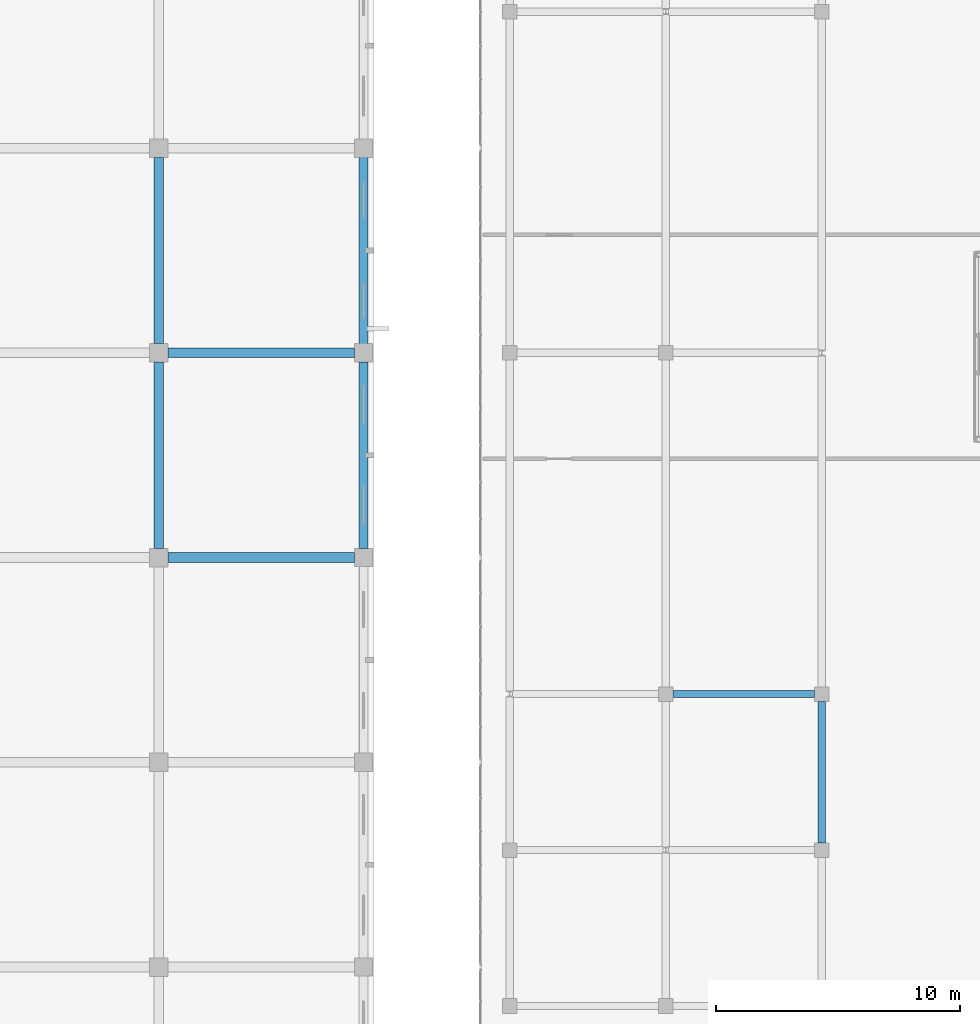
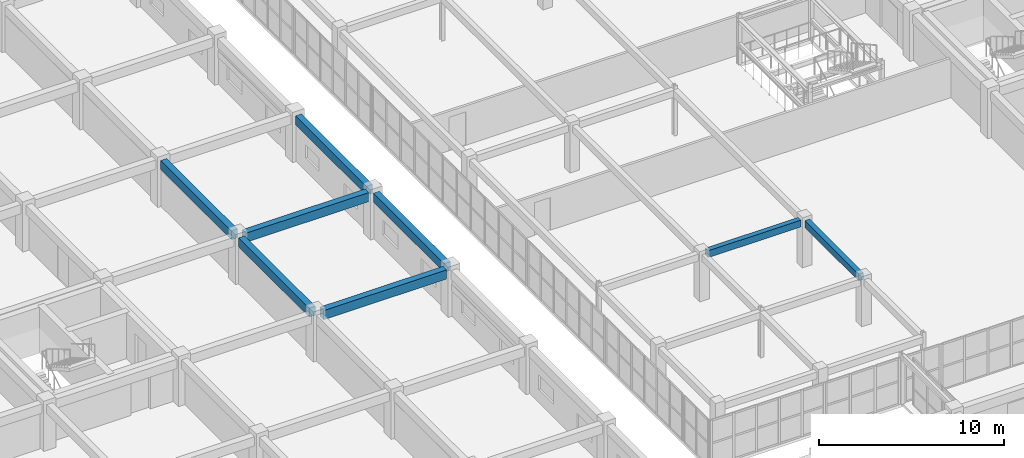
# One storey, part 38 of 200: 8 beams.
"""IFC4 building model written with IfcOpenShell, lengths in metres."""

from ifc_helpers import new_model, si_unit, direction, frame, origin, origin_2d, place, context, subcontext, project, spatial, rectangle, extrude, material, material_profile, profile_set, type_object, element, save


model = new_model("IFC4")

# Units and contexts
model_context = context("Model", 3, precision=1e-05, world=origin(), true_north=direction((0.0, 1.0)))
body_context = subcontext(model_context, "Body", "Model", "MODEL_VIEW")
ifc_project = project(units=[si_unit("LENGTHUNIT", "METRE"), si_unit("AREAUNIT", "SQUARE_METRE"), si_unit("VOLUMEUNIT", "CUBIC_METRE"), si_unit("PLANEANGLEUNIT", "RADIAN"), si_unit("MASSUNIT", "GRAM", prefix="KILO")], contexts=[model_context])

# Site, building, storey
site_placement = place(None, origin())
site = spatial("IfcSite", under=ifc_project, at=site_placement, CompositionType="ELEMENT")
building_placement = place(site_placement, origin())
building = spatial("IfcBuilding", under=site, at=building_placement, Name="Trelvath General Hospital", CompositionType="ELEMENT")
storey_placement = place(building_placement, frame((0.0, 0.0, 4.800048828125)))
storey = spatial("IfcBuildingStorey", under=building, at=storey_placement, Name="L01", CompositionType="ELEMENT", Elevation=4.800048828125)

# Beams
ifc_material_1 = material(Name="Concrete C35/45", Category="concrete")
ifc_material_profile_1 = material_profile(ifc_material_1, rectangle(XDim=0.300048828125, YDim=0.449951171875, at=origin_2d()), Name="RCB300x450")
ifc_profile_set_1 = profile_set([ifc_material_profile_1], Name="Concrete C35/45")
beam_type_1 = type_object("IfcBeamType", Name="Beam RC300x450", PredefinedType="BEAM", material=ifc_profile_set_1)
for number, where, z_axis, x_axis, name in (
    (1, (54.696044921875, 44.800048828125, 2.8349609375), (1.0, 0.0, 0.0), (0.0, 1.0, 0.0), "Cube Interior Ring Beam CUBE-W-T0 L01"),
    (2, (60.800048828125, 38.696044921875, 2.8349609375), (0.0, 1.0, 0.0), (-1.0, 0.0, 0.0), "Cube Interior Ring Beam CUBE-W-T0 L01"),
):
    element("IfcBeam", number, at=place(storey_placement, frame(where, z_axis=z_axis, x_axis=x_axis)), inside=storey, type_object=beam_type_1, Name=name, PredefinedType="BEAM", context=body_context, shape_type="SweptSolid", body=[
        extrude(rectangle(XDim=0.300048828125, YDim=0.449951171875, at=origin_2d()), origin(), (0.0, 0.0, 1.0), 5.807861328125),
    ])
ifc_material_2 = material(Name="Concrete C35/45", Category="concrete")
ifc_material_profile_2 = material_profile(ifc_material_2, rectangle(XDim=0.3798828125, YDim=0.580078125, at=origin_2d()), Name="RCB380x580")
ifc_profile_set_2 = profile_set([ifc_material_profile_2], Name="Concrete C35/45")
beam_type_2 = type_object("IfcBeamType", Name="Beam RC380x580", PredefinedType="BEAM", material=ifc_profile_set_2)
beam_1_placement = place(storey_placement, frame((33.60009765625, 50.77490234375, 2.72998046875), z_axis=(0.0, 1.0, 0.0), x_axis=(-1.0, 0.0, 0.0)))
element("IfcBeam", 3, at=beam_1_placement, inside=storey, type_object=beam_type_2, Name="Grid Beam BY-104G", PredefinedType="BEAM", context=body_context, shape_type="SweptSolid", body=[
    extrude(rectangle(XDim=0.3798828125, YDim=0.580078125, at=origin_2d()), origin(), (0.0, 0.0, 1.0), 7.650146484375),
])
beam_2_placement = place(storey_placement, frame((33.60009765625, 59.175048828125, 2.72998046875), z_axis=(0.0, 1.0, 0.0), x_axis=(-1.0, 0.0, 0.0)))
element("IfcBeam", 4, at=beam_2_placement, inside=storey, type_object=beam_type_2, Name="Grid Beam BY-104H", PredefinedType="BEAM", context=body_context, shape_type="SweptSolid", body=[
    extrude(rectangle(XDim=0.3798828125, YDim=0.580078125, at=origin_2d()), origin(), (0.0, 0.0, 1.0), 7.64990234375),
])
beam_3_placement = place(storey_placement, frame((42.0, 50.77001953125, 2.72998046875), z_axis=(0.0, 1.0, 0.0), x_axis=(-1.0, 0.0, 0.0)))
element("IfcBeam", 5, at=beam_3_placement, inside=storey, type_object=beam_type_2, Name="Grid Beam BY-105G", PredefinedType="BEAM", context=body_context, shape_type="SweptSolid", body=[
    extrude(rectangle(XDim=0.3798828125, YDim=0.580078125, at=origin_2d()), origin(), (0.0, 0.0, 1.0), 7.659912109375),
])
beam_4_placement = place(storey_placement, frame((42.0, 59.169921875, 2.72998046875), z_axis=(0.0, 1.0, 0.0), x_axis=(-1.0, 0.0, 0.0)))
element("IfcBeam", 6, at=beam_4_placement, inside=storey, type_object=beam_type_2, Name="Grid Beam BY-105H", PredefinedType="BEAM", context=body_context, shape_type="SweptSolid", body=[
    extrude(rectangle(XDim=0.3798828125, YDim=0.580078125, at=origin_2d()), origin(), (0.0, 0.0, 1.0), 7.66015625),
])
ifc_material_3 = material(Name="Concrete C35/45", Category="concrete")
ifc_material_profile_3 = material_profile(ifc_material_3, rectangle(XDim=0.39990234375, YDim=0.60009765625, at=origin_2d()), Name="RCB400x600")
ifc_profile_set_3 = profile_set([ifc_material_profile_3], Name="Concrete C35/45")
beam_type_3 = type_object("IfcBeamType", Name="Beam RC400x600", PredefinedType="BEAM", material=ifc_profile_set_3)
for number, where, z_axis, x_axis, name in (
    (7, (33.97509765625, 50.39990234375, 2.719970703125), (1.0, 0.0, 0.0), (0.0, 1.0, 0.0), "Grid Beam BX-104G"),
    (8, (33.97509765625, 58.800048828125, 2.719970703125), (1.0, 0.0, 0.0), (0.0, 1.0, 0.0), "Grid Beam BX-104H"),
):
    element("IfcBeam", number, at=place(storey_placement, frame(where, z_axis=z_axis, x_axis=x_axis)), inside=storey, type_object=beam_type_3, Name=name, PredefinedType="BEAM", context=body_context, shape_type="SweptSolid", body=[
        extrude(rectangle(XDim=0.39990234375, YDim=0.60009765625, at=origin_2d()), origin(), (0.0, 0.0, 1.0), 7.65478515625),
    ])

save(model, "model.ifc")
